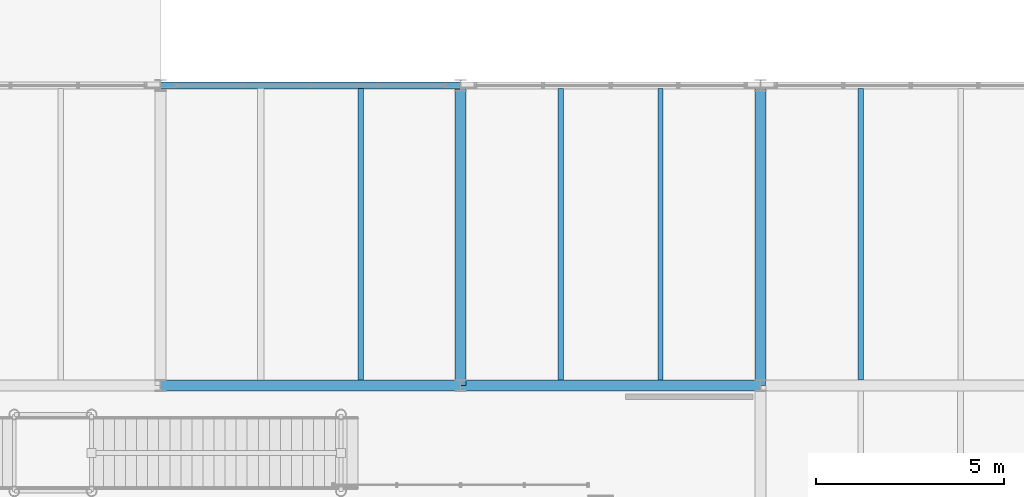
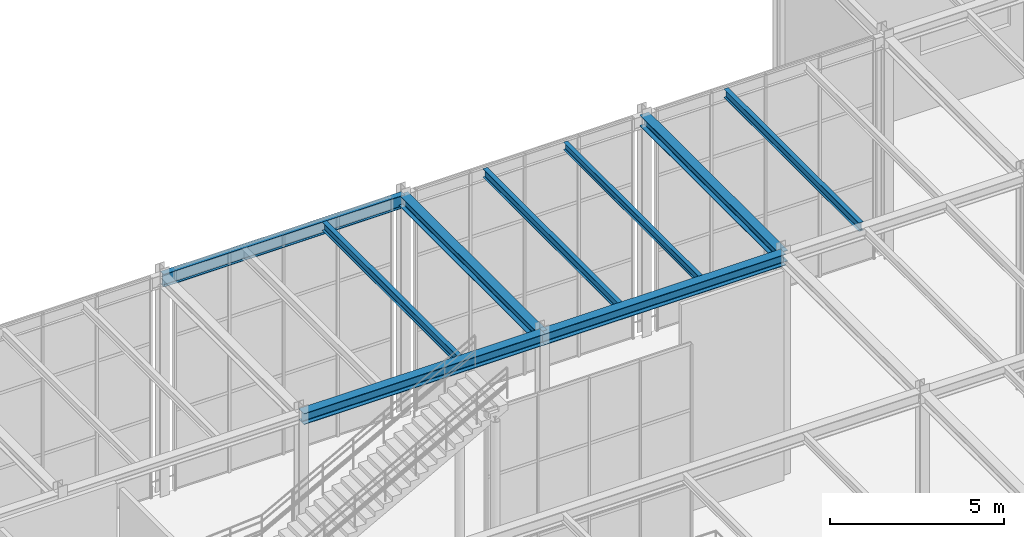
# One storey, part 51 of 138: 9 beams.
"""IFC4 building model written with IfcOpenShell, lengths in metres."""

from ifc_helpers import new_model, si_unit, direction, frame, origin, origin_2d, place, context, subcontext, project, spatial, i_section, extrude, material, material_profile, profile_set, type_object, element, save


model = new_model("IFC4")

# Units and contexts
model_context = context("Model", 3, precision=1e-05, world=origin(), true_north=direction((0.0, 1.0)))
body_context = subcontext(model_context, "Body", "Model", "MODEL_VIEW")
ifc_project = project(units=[si_unit("LENGTHUNIT", "METRE"), si_unit("AREAUNIT", "SQUARE_METRE"), si_unit("VOLUMEUNIT", "CUBIC_METRE"), si_unit("PLANEANGLEUNIT", "RADIAN"), si_unit("MASSUNIT", "GRAM", prefix="KILO")], contexts=[model_context])

# Site, building, storey
site_placement = place(None, origin())
site = spatial("IfcSite", under=ifc_project, at=site_placement, CompositionType="ELEMENT")
building_placement = place(site_placement, origin())
building = spatial("IfcBuilding", under=site, at=building_placement, Name="Sundkrona Museum", CompositionType="ELEMENT")
storey_placement = place(building_placement, frame((0.0, 0.0, 9.60009765625)))
storey = spatial("IfcBuildingStorey", under=building, at=storey_placement, Name="L02", CompositionType="ELEMENT", Elevation=9.60009765625)

# Beams
ifc_material = material(Name="Steel S355J2", Category="steel")
ifc_material_profile_1 = material_profile(ifc_material, i_section(OverallWidth=0.300048828125, OverallDepth=0.389892578125, WebThickness=0.010986328125, FlangeThickness=0.01904296875, FilletRadius=0.027099609375, at=origin_2d()), Name="HEA 400")
ifc_profile_set_1 = profile_set([ifc_material_profile_1], Name="Steel S355J2")
beam_type_1 = type_object("IfcBeamType", Name="B-HEA400", PredefinedType="BEAM", material=ifc_profile_set_1)
for number, where, z_axis, x_axis, name in (
    (1, (96.0, 32.0, 7.544921875), (1.0, 0.0, 0.0), (0.0, 1.0, 0.0), "L02 Girder X-1153"),
    (2, (104.0, 32.0, 7.544921875), (1.0, 0.0, 0.0), (0.0, 1.0, 0.0), "L02 Girder X-1154"),
    (3, (104.0, 32.0, 7.544921875), (0.0, 1.0, 0.0), (-1.0, 0.0, 0.0), "L02 Girder Y-1320"),
    (4, (112.0, 32.0, 7.544921875), (0.0, 1.0, 0.0), (-1.0, 0.0, 0.0), "L02 Girder Y-1328"),
):
    element("IfcBeam", number, at=place(storey_placement, frame(where, z_axis=z_axis, x_axis=x_axis)), inside=storey, type_object=beam_type_1, Name=name, PredefinedType="BEAM", context=body_context, shape_type="SweptSolid", body=[
        extrude(i_section(OverallWidth=0.300048828125, OverallDepth=0.389892578125, WebThickness=0.010986328125, FlangeThickness=0.01904296875, FilletRadius=0.027099609375, at=origin_2d()), origin(), (0.0, 0.0, 1.0), 8.0),
    ])
ifc_material_profile_2 = material_profile(ifc_material, i_section(OverallWidth=0.135009765625, OverallDepth=0.27001953125, WebThickness=0.006591796875, FlangeThickness=0.01025390625, FilletRadius=0.014892578125, at=origin_2d()), Name="IPE 270")
ifc_profile_set_2 = profile_set([ifc_material_profile_2], Name="Steel S355J2")
beam_type_2 = type_object("IfcBeamType", Name="J-IPE270", PredefinedType="JOIST", material=ifc_profile_set_2)
beam_1_placement = place(storey_placement, frame((109.333251953125, 32.14404296875, 7.60498046875), z_axis=(0.0, 1.0, 0.0), x_axis=(-1.0, 0.0, 0.0)))
element("IfcBeam", 5, at=beam_1_placement, inside=storey, type_object=beam_type_2, Name="L02 Composite Joist 0850", PredefinedType="JOIST", context=body_context, shape_type="SweptSolid", body=[
    extrude(i_section(OverallWidth=0.135009765625, OverallDepth=0.27001953125, WebThickness=0.006591796875, FlangeThickness=0.01025390625, FilletRadius=0.014892578125, at=origin_2d()), origin(), (0.0, 0.0, 1.0), 7.766845703125),
])
ifc_material_profile_3 = material_profile(ifc_material, i_section(OverallWidth=0.14990234375, OverallDepth=0.300048828125, WebThickness=0.007080078125, FlangeThickness=0.0107421875, FilletRadius=0.014892578125, at=origin_2d()), Name="IPE 300")
ifc_profile_set_3 = profile_set([ifc_material_profile_3], Name="Steel S355J2")
beam_type_3 = type_object("IfcBeamType", Name="J-IPE300", PredefinedType="JOIST", material=ifc_profile_set_3)
for number, where, z_axis, x_axis, name in (
    (6, (101.333251953125, 32.14404296875, 7.58984375), (0.0, 1.0, 0.0), (-1.0, 0.0, 0.0), "L02 Composite Joist 0846"),
    (7, (106.666748046875, 32.14404296875, 7.58984375), (0.0, 1.0, 0.0), (-1.0, 0.0, 0.0), "L02 Composite Joist 0849"),
    (8, (114.666748046875, 32.14404296875, 7.58984375), (0.0, 1.0, 0.0), (-1.0, 0.0, 0.0), "L02 Composite Joist 0861"),
):
    element("IfcBeam", number, at=place(storey_placement, frame(where, z_axis=z_axis, x_axis=x_axis)), inside=storey, type_object=beam_type_3, Name=name, PredefinedType="JOIST", context=body_context, shape_type="SweptSolid", body=[
        extrude(i_section(OverallWidth=0.14990234375, OverallDepth=0.300048828125, WebThickness=0.007080078125, FlangeThickness=0.0107421875, FilletRadius=0.014892578125, at=origin_2d()), origin(), (0.0, 0.0, 1.0), 7.766845703125),
    ])
ifc_material_profile_4 = material_profile(ifc_material, i_section(OverallWidth=0.18994140625, OverallDepth=0.449951171875, WebThickness=0.009521484375, FlangeThickness=0.0146484375, FilletRadius=0.02099609375, at=origin_2d()), Name="IPE 450")
ifc_profile_set_4 = profile_set([ifc_material_profile_4], Name="Steel S355J2")
beam_type_4 = type_object("IfcBeamType", Name="SP-IPE450", PredefinedType="SPANDREL", material=ifc_profile_set_4)
beam_2_placement = place(storey_placement, frame((96.0, 40.0, 7.514892578125), z_axis=(1.0, 0.0, 0.0), x_axis=(0.0, 1.0, 0.0)))
element("IfcBeam", 9, at=beam_2_placement, inside=storey, type_object=beam_type_4, Name="L02 Girder X-1166", PredefinedType="SPANDREL", context=body_context, shape_type="SweptSolid", body=[
    extrude(i_section(OverallWidth=0.18994140625, OverallDepth=0.449951171875, WebThickness=0.009521484375, FlangeThickness=0.0146484375, FilletRadius=0.02099609375, at=origin_2d()), origin(), (0.0, 0.0, 1.0), 8.0),
])

save(model, "model.ifc")
